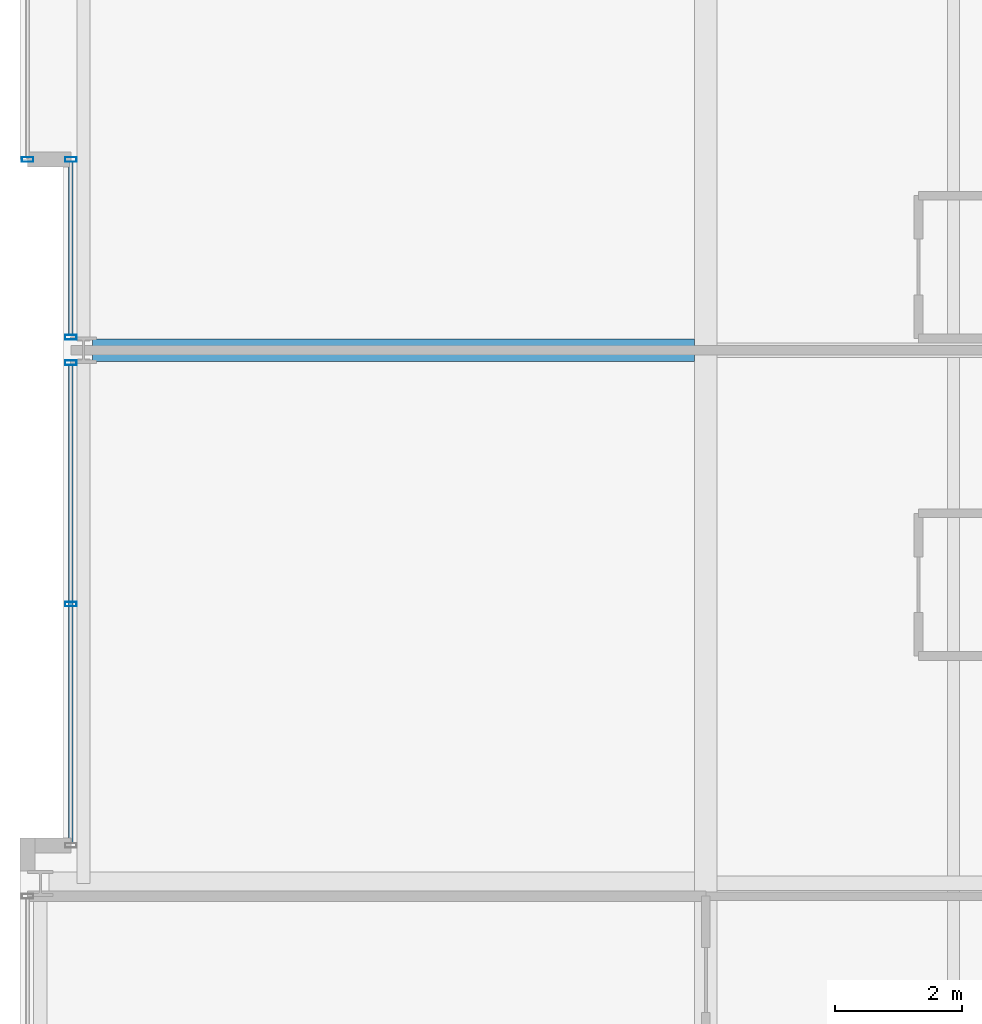
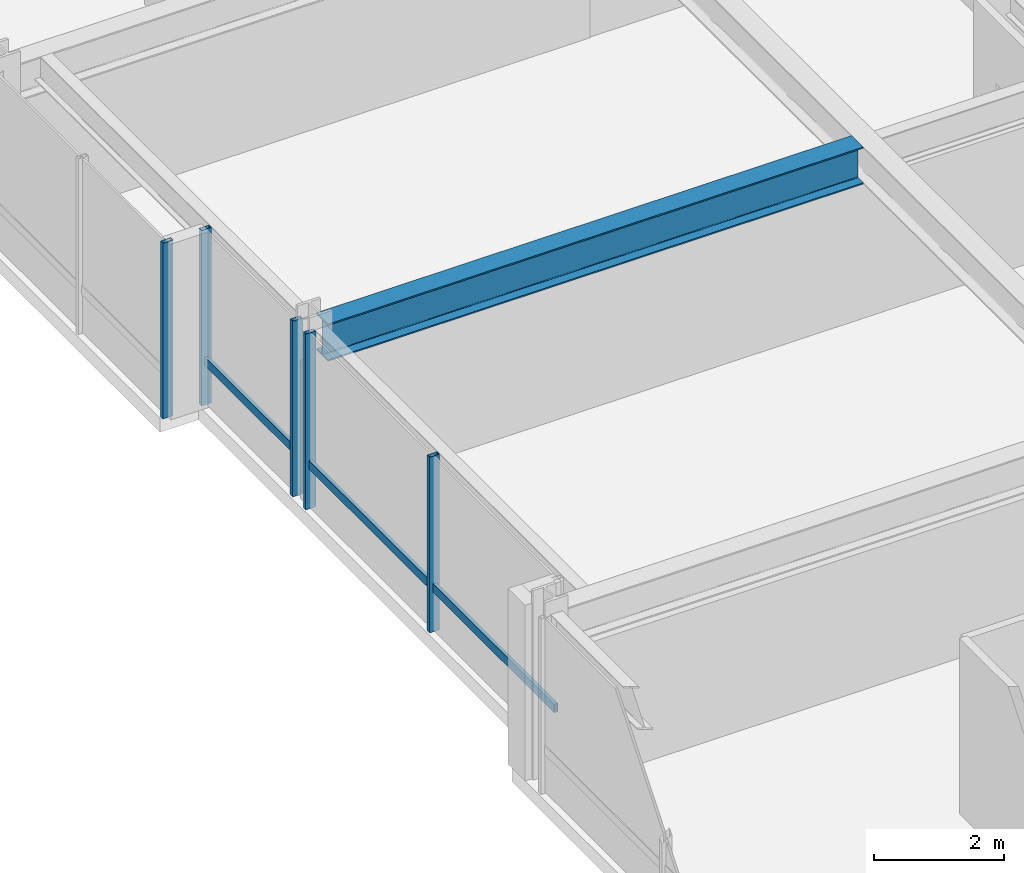
# One storey, part 9 of 32: 7 members, 1 beam, 3 elements without a shape of their own.
"""IFC4 building model written with IfcOpenShell, lengths in metres."""

from ifc_helpers import new_model, si_unit, direction, frame, origin, origin_2d, place, context, subcontext, project, spatial, hollow_rectangle, i_section, extrude, material, layer, layer_set, material_profile, profile_set, type_object, element, aggregate, save


model = new_model("IFC4")

# Units and contexts
model_context = context("Model", 3, precision=1e-05, world=origin(), true_north=direction((0.0, 1.0)))
body_context = subcontext(model_context, "Body", "Model", "MODEL_VIEW")
ifc_project = project(units=[si_unit("LENGTHUNIT", "METRE"), si_unit("AREAUNIT", "SQUARE_METRE"), si_unit("VOLUMEUNIT", "CUBIC_METRE"), si_unit("PLANEANGLEUNIT", "RADIAN"), si_unit("MASSUNIT", "GRAM", prefix="KILO")], contexts=[model_context])

# Site, building, storey
site_placement = place(None, origin())
site = spatial("IfcSite", under=ifc_project, at=site_placement, CompositionType="ELEMENT")
building_placement = place(site_placement, origin())
building = spatial("IfcBuilding", under=site, at=building_placement, Name="Drelvath Grand Hotel", CompositionType="ELEMENT")
storey_placement = place(building_placement, frame((0.0, 0.0, 157.5)))
storey = spatial("IfcBuildingStorey", under=building, at=storey_placement, Name="L40", CompositionType="ELEMENT", Elevation=157.5)

# Curtain wall, member
ifc_material_1 = material(Name="Brushed Pale-Silver Anodised Aluminium Frame", Category="aluminium")
ifc_layer = layer(ifc_material_1, 0.199951171875)
ifc_layer_set = layer_set([ifc_layer], Name="Brushed Pale-Silver Anodised Aluminium Frame")
curtain_wall_type = type_object("IfcCurtainWallType", Name="Stick Curtain Wall CW-04 Brushed Silver Upper-Mid", PredefinedType="NOTDEFINED", material=ifc_layer_set)
curtain_wall_1_placement = place(storey_placement, origin())
curtain_wall_1 = element("IfcCurtainWall", 1, at=curtain_wall_1_placement, inside=storey, type_object=curtain_wall_type, Name="L40 CW-04 Curtain Wall CW04-L40-WM1", PredefinedType="NOTDEFINED")
ifc_material_profile_1 = material_profile(ifc_material_1, hollow_rectangle(XDim=0.06494140625, YDim=0.159912109375, WallThickness=0.00390625, at=origin_2d()), Name="HSS160X65X4")
ifc_profile_set_1 = profile_set([ifc_material_profile_1], Name="Brushed Pale-Silver Anodised Aluminium Frame")
member_type_1 = type_object("IfcMemberType", Name="Curtain Wall Horizontal Transom CW-04 HSS160X65X4", PredefinedType="USERDEFINED", material=ifc_profile_set_1)
member_1_placement = place(storey_placement, frame((-26.199951171875, 19.239990234375, 0.822509765625), z_axis=(0.0, 1.0, 0.0), x_axis=(-1.0, 0.0, 0.0)))
member_1 = element("IfcMember", 2, at=member_1_placement, type_object=member_type_1, Name="CW04-L40-WM1 Sill Transom", ObjectType="TRANSOM", PredefinedType="USERDEFINED", context=body_context, shape_type="SweptSolid", body=[
    extrude(hollow_rectangle(XDim=0.06494140625, YDim=0.159912109375, WallThickness=0.00390625, at=origin_2d()), origin(), (0.0, 0.0, 1.0), 7.52001953125),
])

curtain_wall_2_placement = place(storey_placement, origin())
curtain_wall_2 = element("IfcCurtainWall", 3, at=curtain_wall_2_placement, inside=storey, type_object=curtain_wall_type, Name="L40 CW-04 Curtain Wall CW04-L40-WM2", PredefinedType="NOTDEFINED")
member_2_placement = place(storey_placement, frame((-26.199951171875, 27.239990234375, 0.822509765625), z_axis=(0.0, 1.0, 0.0), x_axis=(-1.0, 0.0, 0.0)))
member_2 = element("IfcMember", 4, at=member_2_placement, type_object=member_type_1, Name="CW04-L40-WM2 Sill Transom", ObjectType="TRANSOM", PredefinedType="USERDEFINED", context=body_context, shape_type="SweptSolid", body=[
    extrude(hollow_rectangle(XDim=0.06494140625, YDim=0.159912109375, WallThickness=0.00390625, at=origin_2d()), origin(), (0.0, 0.0, 1.0), 2.719970703125),
])

# Member
ifc_material_profile_2 = material_profile(ifc_material_1, hollow_rectangle(XDim=0.074951171875, YDim=0.179931640625, WallThickness=0.0048828125, at=origin_2d()), Name="HSS180X75X5")
ifc_profile_set_2 = profile_set([ifc_material_profile_2], Name="Brushed Pale-Silver Anodised Aluminium Frame")
member_type_2 = type_object("IfcMemberType", Name="Curtain Wall Vertical Mullion CW-04 HSS180X75X5", PredefinedType="MULLION", material=ifc_profile_set_2)
member_3_placement = place(storey_placement, frame((-26.199951171875, 23.0, 0.0), z_axis=(0.0, 0.0, 1.0), x_axis=(0.0, 1.0, 0.0)))
member_3 = element("IfcMember", 5, at=member_3_placement, type_object=member_type_2, Name="CW04-L40-WM1 Mullion 2", PredefinedType="MULLION", context=body_context, shape_type="SweptSolid", body=[
    extrude(hollow_rectangle(XDim=0.074951171875, YDim=0.179931640625, WallThickness=0.0048828125, at=origin_2d()), origin(), (0.0, 0.0, 1.0), 3.2900390625),
])

member_4_placement = place(storey_placement, frame((-26.199951171875, 26.7998046875, 0.0), z_axis=(0.0, 0.0, 1.0), x_axis=(0.0, 1.0, 0.0)))
member_4 = element("IfcMember", 6, at=member_4_placement, type_object=member_type_2, Name="CW04-L40-WM1 Mullion 3", PredefinedType="MULLION", context=body_context, shape_type="SweptSolid", body=[
    extrude(hollow_rectangle(XDim=0.074951171875, YDim=0.179931640625, WallThickness=0.0048828125, at=origin_2d()), origin(), (0.0, 0.0, 1.0), 3.2900390625),
])

aggregate(curtain_wall_1, [member_3, member_4, member_1])

member_5_placement = place(storey_placement, frame((-26.199951171875, 27.2001953125, 0.0), z_axis=(0.0, 0.0, 1.0), x_axis=(0.0, 1.0, 0.0)))
member_5 = element("IfcMember", 7, at=member_5_placement, type_object=member_type_2, Name="CW04-L40-WM2 Mullion 1", PredefinedType="MULLION", context=body_context, shape_type="SweptSolid", body=[
    extrude(hollow_rectangle(XDim=0.074951171875, YDim=0.179931640625, WallThickness=0.0048828125, at=origin_2d()), origin(), (0.0, 0.0, 1.0), 3.2900390625),
])

member_6_placement = place(storey_placement, frame((-26.199951171875, 30.0, 0.0), z_axis=(0.0, 0.0, 1.0), x_axis=(0.0, 1.0, 0.0)))
member_6 = element("IfcMember", 8, at=member_6_placement, type_object=member_type_2, Name="CW04-L40-WM2 Mullion 2", PredefinedType="MULLION", context=body_context, shape_type="SweptSolid", body=[
    extrude(hollow_rectangle(XDim=0.074951171875, YDim=0.179931640625, WallThickness=0.0048828125, at=origin_2d()), origin(), (0.0, 0.0, 1.0), 3.2900390625),
])

aggregate(curtain_wall_2, [member_5, member_6, member_2])

# Curtain wall, member
curtain_wall_3_placement = place(storey_placement, origin())
curtain_wall_3 = element("IfcCurtainWall", 9, at=curtain_wall_3_placement, inside=storey, type_object=curtain_wall_type, Name="L40 CW-04 Curtain Wall CW04-L40-WN1", PredefinedType="NOTDEFINED")
member_7_placement = place(storey_placement, frame((-26.8798828125, 30.0, 0.0), z_axis=(0.0, 0.0, 1.0), x_axis=(0.0, 1.0, 0.0)))
member_7 = element("IfcMember", 10, at=member_7_placement, type_object=member_type_2, Name="CW04-L40-WN1 Mullion 1", PredefinedType="MULLION", context=body_context, shape_type="SweptSolid", body=[
    extrude(hollow_rectangle(XDim=0.074951171875, YDim=0.179931640625, WallThickness=0.0048828125, at=origin_2d()), origin(), (0.0, 0.0, 1.0), 3.2900390625),
])
aggregate(curtain_wall_3, [member_7])

# Beam
ifc_material_2 = material(Name="Steel ASTM A992 Gr 50", Category="steel")
ifc_material_profile_3 = material_profile(ifc_material_2, i_section(OverallWidth=0.354736328125, OverallDepth=0.695556640625, WebThickness=0.015380859375, FlangeThickness=0.025146484375, FilletRadius=0.02392578125, at=origin_2d()), Name="W27X146")
ifc_profile_set_3 = profile_set([ifc_material_profile_3], Name="Steel ASTM A992 Gr 50")
beam_type = type_object("IfcBeamType", Name="Primary Floor Girder W27X146", PredefinedType="BEAM", material=ifc_profile_set_3)
beam_placement = place(storey_placement, frame((-25.860107421875, 27.0, 2.9423828125), z_axis=(1.0, 0.0, 0.0), x_axis=(0.0, 1.0, 0.0)))
element("IfcBeam", 11, at=beam_placement, inside=storey, type_object=beam_type, Name="L40 West Wing Girder E", PredefinedType="BEAM", context=body_context, shape_type="SweptSolid", body=[
    extrude(i_section(OverallWidth=0.354736328125, OverallDepth=0.695556640625, WebThickness=0.015380859375, FlangeThickness=0.025146484375, FilletRadius=0.02392578125, at=origin_2d()), origin(), (0.0, 0.0, 1.0), 9.482666015625),
])

save(model, "model.ifc")
